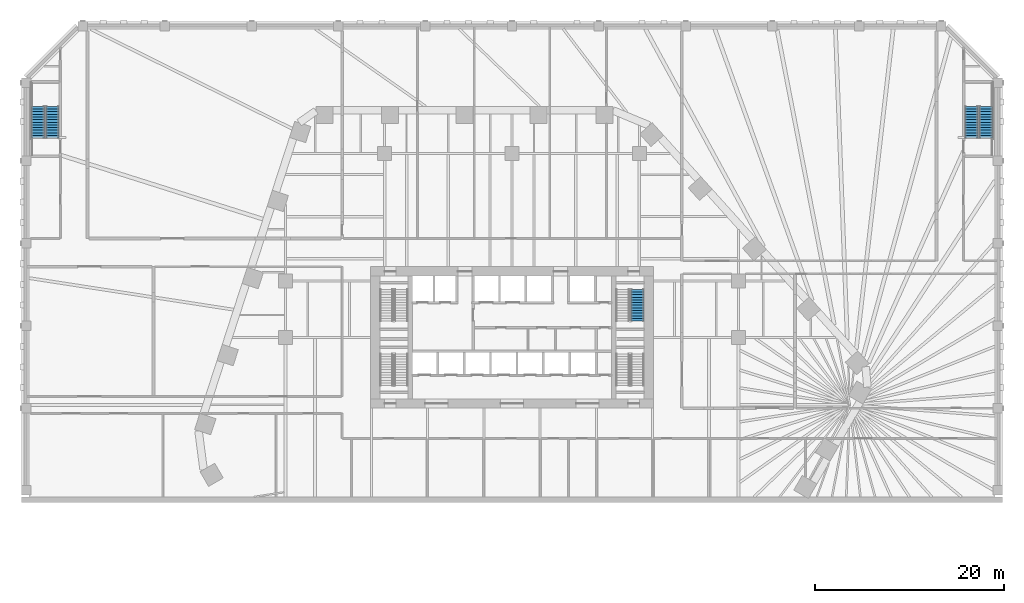
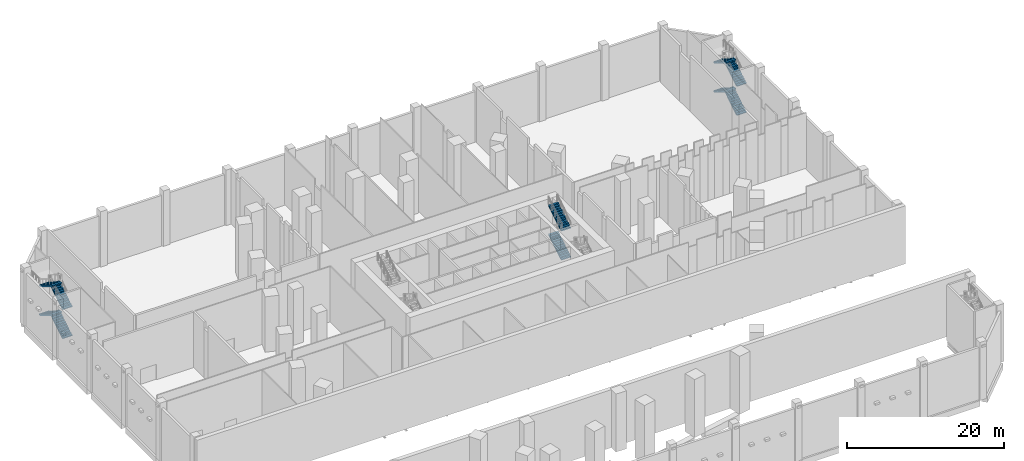
# One storey, part 14 of 23: 10 stair flights, 3 elements without a shape of their own.
"""IFC4 building model written with IfcOpenShell, lengths in metres."""

from ifc_helpers import new_model, si_unit, direction, frame, origin, place, context, subcontext, project, spatial, polyline, outline, extrude, material, type_object, element, aggregate, save


model = new_model("IFC4")

# Units and contexts
model_context = context("Model", 3, precision=1e-05, world=origin(), true_north=direction((0.0, 1.0)))
body_context = subcontext(model_context, "Body", "Model", "MODEL_VIEW")
ifc_project = project(units=[si_unit("LENGTHUNIT", "METRE"), si_unit("AREAUNIT", "SQUARE_METRE"), si_unit("VOLUMEUNIT", "CUBIC_METRE"), si_unit("PLANEANGLEUNIT", "RADIAN"), si_unit("MASSUNIT", "GRAM", prefix="KILO")], contexts=[model_context])

# Site, building, storey
site_placement = place(None, origin())
site = spatial("IfcSite", under=ifc_project, at=site_placement, CompositionType="ELEMENT")
building_placement = place(site_placement, origin())
building = spatial("IfcBuilding", under=site, at=building_placement, Name="Isthmus Gate Tower", CompositionType="ELEMENT")
storey_placement = place(building_placement, frame((0.0, 0.0, 9.0)))
storey = spatial("IfcBuildingStorey", under=building, at=storey_placement, Name="L01", CompositionType="ELEMENT", Elevation=9.0)

# Stair, stair flights
ifc_material_1 = material(Name="Concrete f'c 40 MPa", Category="concrete")
stair_type_1 = type_object("IfcStairType", Name="Podium exit stair 1400 wide flights", PredefinedType="HALF_TURN_STAIR", material=ifc_material_1)
stair_1_placement = place(storey_placement, origin())
stair_1 = element("IfcStair", 1, at=stair_1_placement, inside=storey, type_object=stair_type_1, Name="L01 Podium Exit Stair ST5", PredefinedType="HALF_TURN_STAIR")
ifc_material_2 = material(Name="Concrete f'c 40 MPa", Category="concrete")
stair_flight_type_1 = type_object("IfcStairFlightType", Name="Podium stair flight 1400", PredefinedType="STRAIGHT", material=ifc_material_2)
stair_flight_1_placement = place(storey_placement, frame((50.25, 28.625, 0.0), z_axis=(0.0, 0.0, 1.0), x_axis=(0.0, 1.0, 0.0)))
stair_flight_1 = element("IfcStairFlight", 2, at=stair_flight_1_placement, type_object=stair_flight_type_1, Name="ST5 flight 1", NumberOfRisers=13, NumberOfTreads=12, PredefinedType="STRAIGHT", RiserHeight=0.173076923, TreadLength=0.28, context=body_context, shape_type="SweptSolid", body=[
    extrude(outline(polyline([(0.0, 0.0), (0.0, 0.173095703125), (0.280029296875, 0.173095703125), (0.280029296875, 0.34619140625), (0.56005859375, 0.34619140625), (0.56005859375, 0.519287109375), (0.840087890625, 0.519287109375), (0.840087890625, 0.6923828125), (1.1201171875, 0.6923828125), (1.1201171875, 0.865478515625), (1.39990234375, 0.865478515625), (1.39990234375, 1.03857421875), (1.679931640625, 1.03857421875), (1.679931640625, 1.21142578125), (1.9599609375, 1.21142578125), (1.9599609375, 1.384521484375), (2.239990234375, 1.384521484375), (2.239990234375, 1.5576171875), (2.52001953125, 1.5576171875), (2.52001953125, 1.730712890625), (2.800048828125, 1.730712890625), (2.800048828125, 1.90380859375), (3.080078125, 1.90380859375), (3.080078125, 2.076904296875), (3.360107421875, 2.076904296875), (3.360107421875, 2.25), (3.360107421875, 1.900634765625), (0.28515625, 0.0), (0.0, 0.0)])), frame((0.0, 0.699951171875, 0.0), z_axis=(0.0, -1.0, 0.0), x_axis=(1.0, 0.0, 0.0)), (0.0, 0.0, 1.0), 1.39990234375),
])
stair_flight_2_placement = place(storey_placement, frame((48.699951171875, 31.985107421875, 2.25), z_axis=(0.0, 0.0, 1.0), x_axis=(0.0, -1.0, 0.0)))
stair_flight_2 = element("IfcStairFlight", 3, at=stair_flight_2_placement, type_object=stair_flight_type_1, Name="ST5 flight 2", NumberOfRisers=13, NumberOfTreads=12, PredefinedType="STRAIGHT", RiserHeight=0.173076923, TreadLength=0.28, context=body_context, shape_type="SweptSolid", body=[
    extrude(outline(polyline([(0.0, 0.0), (0.0, 0.173095703125), (0.280029296875, 0.173095703125), (0.280029296875, 0.34619140625), (0.56005859375, 0.34619140625), (0.56005859375, 0.519287109375), (0.840087890625, 0.519287109375), (0.840087890625, 0.6923828125), (1.1201171875, 0.6923828125), (1.1201171875, 0.865478515625), (1.39990234375, 0.865478515625), (1.39990234375, 1.03857421875), (1.679931640625, 1.03857421875), (1.679931640625, 1.21142578125), (1.9599609375, 1.21142578125), (1.9599609375, 1.384521484375), (2.239990234375, 1.384521484375), (2.239990234375, 1.5576171875), (2.52001953125, 1.5576171875), (2.52001953125, 1.730712890625), (2.800048828125, 1.730712890625), (2.800048828125, 1.90380859375), (3.080078125, 1.90380859375), (3.080078125, 2.076904296875), (3.360107421875, 2.076904296875), (3.360107421875, 2.25), (3.360107421875, 1.900634765625), (0.28515625, 0.0), (0.0, 0.0)])), frame((0.0, 0.699951171875, 0.0), z_axis=(0.0, -1.0, 0.0), x_axis=(1.0, 0.0, 0.0)), (0.0, 0.0, 1.0), 1.39990234375),
])
stair_flight_3_placement = place(storey_placement, frame((50.25, 28.625, 4.5), z_axis=(0.0, 0.0, 1.0), x_axis=(0.0, 1.0, 0.0)))
stair_flight_3 = element("IfcStairFlight", 4, at=stair_flight_3_placement, type_object=stair_flight_type_1, Name="ST5 flight 3", NumberOfRisers=13, NumberOfTreads=12, PredefinedType="STRAIGHT", RiserHeight=0.173076923, TreadLength=0.28, context=body_context, shape_type="SweptSolid", body=[
    extrude(outline(polyline([(0.0, 0.0), (0.0, 0.173095703125), (0.280029296875, 0.173095703125), (0.280029296875, 0.34619140625), (0.56005859375, 0.34619140625), (0.56005859375, 0.519287109375), (0.840087890625, 0.519287109375), (0.840087890625, 0.6923828125), (1.1201171875, 0.6923828125), (1.1201171875, 0.865478515625), (1.39990234375, 0.865478515625), (1.39990234375, 1.03857421875), (1.679931640625, 1.03857421875), (1.679931640625, 1.21142578125), (1.9599609375, 1.21142578125), (1.9599609375, 1.384521484375), (2.239990234375, 1.384521484375), (2.239990234375, 1.5576171875), (2.52001953125, 1.5576171875), (2.52001953125, 1.730712890625), (2.800048828125, 1.730712890625), (2.800048828125, 1.90380859375), (3.080078125, 1.90380859375), (3.080078125, 2.076904296875), (3.360107421875, 2.076904296875), (3.360107421875, 2.25), (3.360107421875, 1.900634765625), (0.28515625, 0.0), (0.0, 0.0)])), frame((0.0, 0.699951171875, 0.0), z_axis=(0.0, -1.0, 0.0), x_axis=(1.0, 0.0, 0.0)), (0.0, 0.0, 1.0), 1.39990234375),
])
stair_flight_4_placement = place(storey_placement, frame((48.699951171875, 31.985107421875, 6.75), z_axis=(0.0, 0.0, 1.0), x_axis=(0.0, -1.0, 0.0)))
stair_flight_4 = element("IfcStairFlight", 5, at=stair_flight_4_placement, type_object=stair_flight_type_1, Name="ST5 flight 4", NumberOfRisers=13, NumberOfTreads=12, PredefinedType="STRAIGHT", RiserHeight=0.173076923, TreadLength=0.28, context=body_context, shape_type="SweptSolid", body=[
    extrude(outline(polyline([(0.0, 0.0), (0.0, 0.173095703125), (0.280029296875, 0.173095703125), (0.280029296875, 0.34619140625), (0.56005859375, 0.34619140625), (0.56005859375, 0.519287109375), (0.840087890625, 0.519287109375), (0.840087890625, 0.6923828125), (1.1201171875, 0.6923828125), (1.1201171875, 0.865478515625), (1.39990234375, 0.865478515625), (1.39990234375, 1.03857421875), (1.679931640625, 1.03857421875), (1.679931640625, 1.21142578125), (1.9599609375, 1.21142578125), (1.9599609375, 1.384521484375), (2.239990234375, 1.384521484375), (2.239990234375, 1.5576171875), (2.52001953125, 1.5576171875), (2.52001953125, 1.730712890625), (2.800048828125, 1.730712890625), (2.800048828125, 1.90380859375), (3.080078125, 1.90380859375), (3.080078125, 2.076904296875), (3.360107421875, 2.076904296875), (3.360107421875, 2.25), (3.360107421875, 1.900634765625), (0.28515625, 0.0), (0.0, 0.0)])), frame((0.0, 0.699951171875, 0.0), z_axis=(0.0, -1.0, 0.0), x_axis=(1.0, 0.0, 0.0)), (0.0, 0.0, 1.0), 1.39990234375),
])
aggregate(stair_1, [stair_flight_1, stair_flight_2, stair_flight_3, stair_flight_4])

stair_2_placement = place(storey_placement, origin())
stair_2 = element("IfcStair", 6, at=stair_2_placement, inside=storey, type_object=stair_type_1, Name="L01 Podium Exit Stair ST6", PredefinedType="HALF_TURN_STAIR")
stair_flight_5_placement = place(storey_placement, frame((-48.699951171875, 28.625, 0.0), z_axis=(0.0, 0.0, 1.0), x_axis=(0.0, 1.0, 0.0)))
stair_flight_5 = element("IfcStairFlight", 7, at=stair_flight_5_placement, type_object=stair_flight_type_1, Name="ST6 flight 1", NumberOfRisers=13, NumberOfTreads=12, PredefinedType="STRAIGHT", RiserHeight=0.173076923, TreadLength=0.28, context=body_context, shape_type="SweptSolid", body=[
    extrude(outline(polyline([(0.0, 0.0), (0.0, 0.173095703125), (0.280029296875, 0.173095703125), (0.280029296875, 0.34619140625), (0.56005859375, 0.34619140625), (0.56005859375, 0.519287109375), (0.840087890625, 0.519287109375), (0.840087890625, 0.6923828125), (1.1201171875, 0.6923828125), (1.1201171875, 0.865478515625), (1.39990234375, 0.865478515625), (1.39990234375, 1.03857421875), (1.679931640625, 1.03857421875), (1.679931640625, 1.21142578125), (1.9599609375, 1.21142578125), (1.9599609375, 1.384521484375), (2.239990234375, 1.384521484375), (2.239990234375, 1.5576171875), (2.52001953125, 1.5576171875), (2.52001953125, 1.730712890625), (2.800048828125, 1.730712890625), (2.800048828125, 1.90380859375), (3.080078125, 1.90380859375), (3.080078125, 2.076904296875), (3.360107421875, 2.076904296875), (3.360107421875, 2.25), (3.360107421875, 1.900634765625), (0.28515625, 0.0), (0.0, 0.0)])), frame((0.0, 0.699951171875, 0.0), z_axis=(0.0, -1.0, 0.0), x_axis=(1.0, 0.0, 0.0)), (0.0, 0.0, 1.0), 1.39990234375),
])
stair_flight_6_placement = place(storey_placement, frame((-50.25, 31.985107421875, 2.25), z_axis=(0.0, 0.0, 1.0), x_axis=(0.0, -1.0, 0.0)))
stair_flight_6 = element("IfcStairFlight", 8, at=stair_flight_6_placement, type_object=stair_flight_type_1, Name="ST6 flight 2", NumberOfRisers=13, NumberOfTreads=12, PredefinedType="STRAIGHT", RiserHeight=0.173076923, TreadLength=0.28, context=body_context, shape_type="SweptSolid", body=[
    extrude(outline(polyline([(0.0, 0.0), (0.0, 0.173095703125), (0.280029296875, 0.173095703125), (0.280029296875, 0.34619140625), (0.56005859375, 0.34619140625), (0.56005859375, 0.519287109375), (0.840087890625, 0.519287109375), (0.840087890625, 0.6923828125), (1.1201171875, 0.6923828125), (1.1201171875, 0.865478515625), (1.39990234375, 0.865478515625), (1.39990234375, 1.03857421875), (1.679931640625, 1.03857421875), (1.679931640625, 1.21142578125), (1.9599609375, 1.21142578125), (1.9599609375, 1.384521484375), (2.239990234375, 1.384521484375), (2.239990234375, 1.5576171875), (2.52001953125, 1.5576171875), (2.52001953125, 1.730712890625), (2.800048828125, 1.730712890625), (2.800048828125, 1.90380859375), (3.080078125, 1.90380859375), (3.080078125, 2.076904296875), (3.360107421875, 2.076904296875), (3.360107421875, 2.25), (3.360107421875, 1.900634765625), (0.28515625, 0.0), (0.0, 0.0)])), frame((0.0, 0.699951171875, 0.0), z_axis=(0.0, -1.0, 0.0), x_axis=(1.0, 0.0, 0.0)), (0.0, 0.0, 1.0), 1.39990234375),
])
stair_flight_7_placement = place(storey_placement, frame((-48.699951171875, 28.625, 4.5), z_axis=(0.0, 0.0, 1.0), x_axis=(0.0, 1.0, 0.0)))
stair_flight_7 = element("IfcStairFlight", 9, at=stair_flight_7_placement, type_object=stair_flight_type_1, Name="ST6 flight 3", NumberOfRisers=13, NumberOfTreads=12, PredefinedType="STRAIGHT", RiserHeight=0.173076923, TreadLength=0.28, context=body_context, shape_type="SweptSolid", body=[
    extrude(outline(polyline([(0.0, 0.0), (0.0, 0.173095703125), (0.280029296875, 0.173095703125), (0.280029296875, 0.34619140625), (0.56005859375, 0.34619140625), (0.56005859375, 0.519287109375), (0.840087890625, 0.519287109375), (0.840087890625, 0.6923828125), (1.1201171875, 0.6923828125), (1.1201171875, 0.865478515625), (1.39990234375, 0.865478515625), (1.39990234375, 1.03857421875), (1.679931640625, 1.03857421875), (1.679931640625, 1.21142578125), (1.9599609375, 1.21142578125), (1.9599609375, 1.384521484375), (2.239990234375, 1.384521484375), (2.239990234375, 1.5576171875), (2.52001953125, 1.5576171875), (2.52001953125, 1.730712890625), (2.800048828125, 1.730712890625), (2.800048828125, 1.90380859375), (3.080078125, 1.90380859375), (3.080078125, 2.076904296875), (3.360107421875, 2.076904296875), (3.360107421875, 2.25), (3.360107421875, 1.900634765625), (0.28515625, 0.0), (0.0, 0.0)])), frame((0.0, 0.699951171875, 0.0), z_axis=(0.0, -1.0, 0.0), x_axis=(1.0, 0.0, 0.0)), (0.0, 0.0, 1.0), 1.39990234375),
])
stair_flight_8_placement = place(storey_placement, frame((-50.25, 31.985107421875, 6.75), z_axis=(0.0, 0.0, 1.0), x_axis=(0.0, -1.0, 0.0)))
stair_flight_8 = element("IfcStairFlight", 10, at=stair_flight_8_placement, type_object=stair_flight_type_1, Name="ST6 flight 4", NumberOfRisers=13, NumberOfTreads=12, PredefinedType="STRAIGHT", RiserHeight=0.173076923, TreadLength=0.28, context=body_context, shape_type="SweptSolid", body=[
    extrude(outline(polyline([(0.0, 0.0), (0.0, 0.173095703125), (0.280029296875, 0.173095703125), (0.280029296875, 0.34619140625), (0.56005859375, 0.34619140625), (0.56005859375, 0.519287109375), (0.840087890625, 0.519287109375), (0.840087890625, 0.6923828125), (1.1201171875, 0.6923828125), (1.1201171875, 0.865478515625), (1.39990234375, 0.865478515625), (1.39990234375, 1.03857421875), (1.679931640625, 1.03857421875), (1.679931640625, 1.21142578125), (1.9599609375, 1.21142578125), (1.9599609375, 1.384521484375), (2.239990234375, 1.384521484375), (2.239990234375, 1.5576171875), (2.52001953125, 1.5576171875), (2.52001953125, 1.730712890625), (2.800048828125, 1.730712890625), (2.800048828125, 1.90380859375), (3.080078125, 1.90380859375), (3.080078125, 2.076904296875), (3.360107421875, 2.076904296875), (3.360107421875, 2.25), (3.360107421875, 1.900634765625), (0.28515625, 0.0), (0.0, 0.0)])), frame((0.0, 0.699951171875, 0.0), z_axis=(0.0, -1.0, 0.0), x_axis=(1.0, 0.0, 0.0)), (0.0, 0.0, 1.0), 1.39990234375),
])
aggregate(stair_2, [stair_flight_5, stair_flight_6, stair_flight_7, stair_flight_8])

ifc_material_3 = material(Name="Concrete f'c 40 MPa", Category="concrete")
stair_type_2 = type_object("IfcStairType", Name="CORE STAIR 52 RISERS", PredefinedType="HALF_TURN_STAIR", material=ifc_material_3)
stair_3_placement = place(storey_placement, origin())
stair_3 = element("IfcStair", 11, at=stair_3_placement, inside=storey, type_object=stair_type_2, Name="L01 Exit Stair 2", PredefinedType="HALF_TURN_STAIR")
ifc_material_4 = material(Name="Concrete f'c 40 MPa", Category="concrete")
stair_flight_type_2 = type_object("IfcStairFlightType", Name="STAIR FLIGHT RC 1400", PredefinedType="STRAIGHT", material=ifc_material_4)
stair_flight_9_placement = place(storey_placement, frame((13.300048828125, 9.239990234375, 2.25), z_axis=(0.0, 0.0, 1.0), x_axis=(0.0, 1.0, 0.0)))
stair_flight_9 = element("IfcStairFlight", 12, at=stair_flight_9_placement, type_object=stair_flight_type_2, Name="ST2 flight 2", NumberOfRisers=13, NumberOfTreads=12, PredefinedType="STRAIGHT", RiserHeight=0.173076923, TreadLength=0.28, context=body_context, shape_type="SweptSolid", body=[
    extrude(outline(polyline([(0.0, 0.0), (0.0, 0.173095703125), (0.280029296875, 0.173095703125), (0.280029296875, 0.34619140625), (0.56005859375, 0.34619140625), (0.56005859375, 0.519287109375), (0.840087890625, 0.519287109375), (0.840087890625, 0.6923828125), (1.1201171875, 0.6923828125), (1.1201171875, 0.865478515625), (1.39990234375, 0.865478515625), (1.39990234375, 1.03857421875), (1.679931640625, 1.03857421875), (1.679931640625, 1.21142578125), (1.9599609375, 1.21142578125), (1.9599609375, 1.384521484375), (2.239990234375, 1.384521484375), (2.239990234375, 1.5576171875), (2.52001953125, 1.5576171875), (2.52001953125, 1.730712890625), (2.800048828125, 1.730712890625), (2.800048828125, 1.90380859375), (3.080078125, 1.90380859375), (3.080078125, 2.076904296875), (3.360107421875, 2.076904296875), (3.360107421875, 2.25), (3.360107421875, 1.900634765625), (0.28515625, 0.0), (0.0, 0.0)])), frame((0.0, 0.699951171875, 0.0), z_axis=(0.0, -1.0, 0.0), x_axis=(1.0, 0.0, 0.0)), (0.0, 0.0, 1.0), 1.39990234375),
])
stair_flight_10_placement = place(storey_placement, frame((13.300048828125, 9.239990234375, 6.75), z_axis=(0.0, 0.0, 1.0), x_axis=(0.0, 1.0, 0.0)))
stair_flight_10 = element("IfcStairFlight", 13, at=stair_flight_10_placement, type_object=stair_flight_type_2, Name="ST2 flight 4", NumberOfRisers=13, NumberOfTreads=12, PredefinedType="STRAIGHT", RiserHeight=0.173076923, TreadLength=0.28, context=body_context, shape_type="SweptSolid", body=[
    extrude(outline(polyline([(0.0, 0.0), (0.0, 0.173095703125), (0.280029296875, 0.173095703125), (0.280029296875, 0.34619140625), (0.56005859375, 0.34619140625), (0.56005859375, 0.519287109375), (0.840087890625, 0.519287109375), (0.840087890625, 0.6923828125), (1.1201171875, 0.6923828125), (1.1201171875, 0.865478515625), (1.39990234375, 0.865478515625), (1.39990234375, 1.03857421875), (1.679931640625, 1.03857421875), (1.679931640625, 1.21142578125), (1.9599609375, 1.21142578125), (1.9599609375, 1.384521484375), (2.239990234375, 1.384521484375), (2.239990234375, 1.5576171875), (2.52001953125, 1.5576171875), (2.52001953125, 1.730712890625), (2.800048828125, 1.730712890625), (2.800048828125, 1.90380859375), (3.080078125, 1.90380859375), (3.080078125, 2.076904296875), (3.360107421875, 2.076904296875), (3.360107421875, 2.25), (3.360107421875, 1.900634765625), (0.28515625, 0.0), (0.0, 0.0)])), frame((0.0, 0.699951171875, 0.0), z_axis=(0.0, -1.0, 0.0), x_axis=(1.0, 0.0, 0.0)), (0.0, 0.0, 1.0), 1.39990234375),
])
aggregate(stair_3, [stair_flight_9, stair_flight_10])

save(model, "model.ifc")
